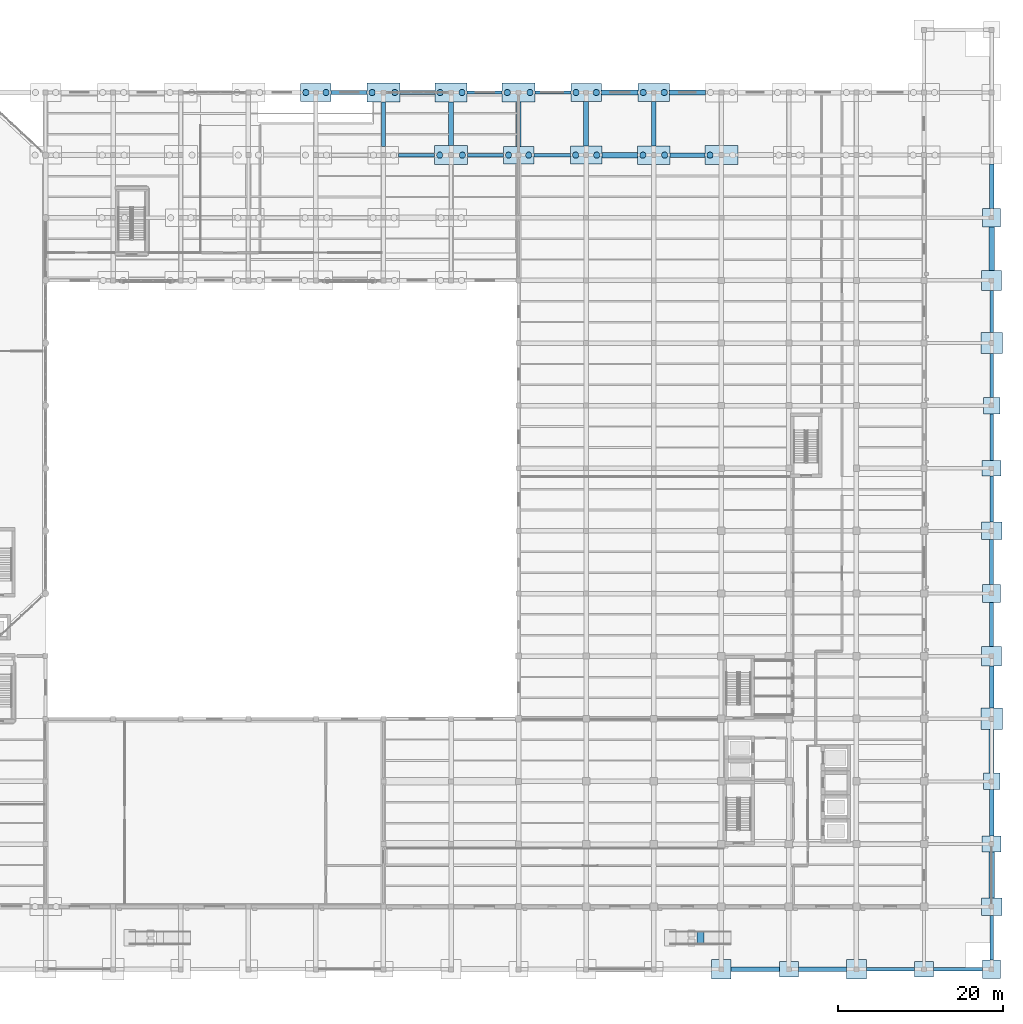
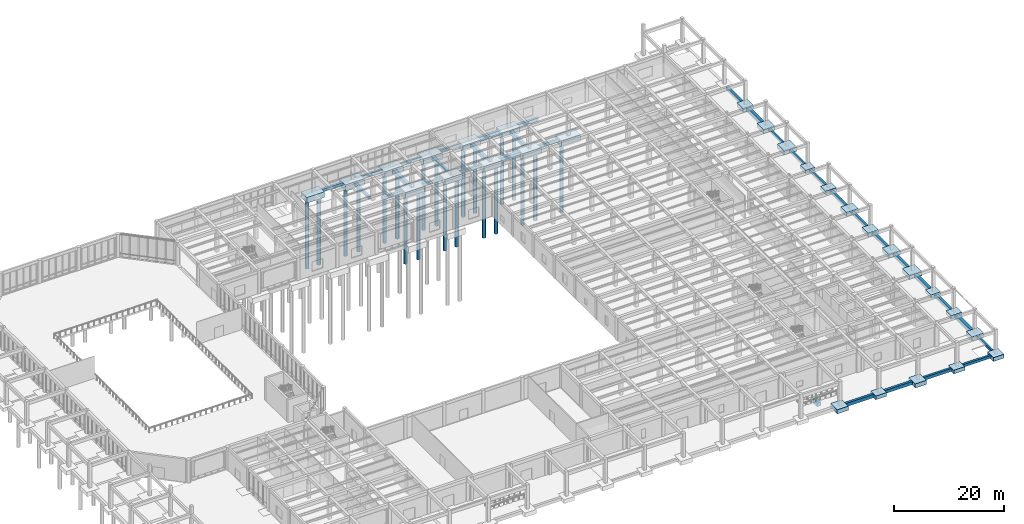
# One storey, part 5 of 64: 62 footings, 21 piles.
"""IFC4 building model written with IfcOpenShell, lengths in metres."""

import ifcopenshell
import ifcopenshell.guid

model = None  # the IFC model being written
_history = None  # IfcOwnerHistory: only IFC2X3 demands one
_inside = {}  # id of a spatial element -> (the spatial element, [elements in it])
_under = {}  # id of a project, library or spatial element -> (it, [spatial elements below it])
_declared = {}  # id of a project -> (the project, [libraries it declares])
_typed = {}  # id of a type object -> (the type object, [elements of that type])
_made_of = {}  # id of a material, layer set ... -> (it, [elements and type objects made of it])


def new_model(schema):
    """Start an empty IFC model of exactly this schema.

    Asked for "IFC4X3", IfcOpenShell would pick the latest addendum, in which some entities
    have other attributes; the version numbers below select the first issue.
    IFC2X3 requires an IfcOwnerHistory on every rooted entity: one is made here for all.
    """
    global model, _history
    if schema == "IFC4X3":
        model = ifcopenshell.file(schema_version=(4, 3, 0, 0))
    else:
        model = ifcopenshell.file(schema=schema)
    _inside.clear()
    _under.clear()
    _declared.clear()
    _typed.clear()
    _made_of.clear()
    _history = None
    if model.schema == "IFC2X3":
        org = make("IfcOrganization", Name="unknown")
        user = make(
            "IfcPersonAndOrganization",
            ThePerson=make("IfcPerson", FamilyName="unknown"),
            TheOrganization=org,
        )
        app = make(
            "IfcApplication",
            ApplicationDeveloper=org,
            Version="unknown",
            ApplicationFullName="unknown",
            ApplicationIdentifier="unknown",
        )
        _history = make(
            "IfcOwnerHistory",
            OwningUser=user,
            OwningApplication=app,
            ChangeAction="ADDED",
            CreationDate=0,
        )
    return model


def make(cls, **values):
    """One entity of the class cls with the attributes given. An attribute that is None is left unset."""
    return model.create_entity(
        cls, **{name: value for name, value in values.items() if value is not None}
    )


def rooted(cls, **values):
    """An entity with a GlobalId (a new one), such as an element, a storey or a relation."""
    return make(cls, GlobalId=ifcopenshell.guid.new(), OwnerHistory=_history, **values)


def si_unit(unit_type, name, prefix=None):
    """IfcSIUnit, for example si_unit("LENGTHUNIT", "METRE", prefix="MILLI")."""
    return make("IfcSIUnit", UnitType=unit_type, Prefix=prefix, Name=name)


def assignment(units):
    """IfcUnitAssignment: the units of a project."""
    return None if units is None else make("IfcUnitAssignment", Units=units)


def point(xyz):
    """IfcCartesianPoint."""
    return None if xyz is None else make("IfcCartesianPoint", Coordinates=xyz)


def direction(xyz):
    """IfcDirection."""
    return None if xyz is None else make("IfcDirection", DirectionRatios=xyz)


def frame(location, z_axis=None, x_axis=None):
    """IfcAxis2Placement3D, a coordinate frame: its origin and axes. An axis left out is left unset."""
    return make(
        "IfcAxis2Placement3D",
        Location=point(location),
        Axis=direction(z_axis),
        RefDirection=direction(x_axis),
    )


def frame_2d(location, x_axis=None):
    """IfcAxis2Placement2D, a coordinate frame in the plane: its origin and x axis."""
    return make(
        "IfcAxis2Placement2D", Location=point(location), RefDirection=direction(x_axis)
    )


def origin():
    """The frame at (0, 0, 0) with its axes left unset."""
    return frame((0.0, 0.0, 0.0))


def origin_2d():
    """The frame at (0, 0) in the plane with its x axis left unset."""
    return frame_2d((0.0, 0.0))


def place(relative_to, where):
    """IfcLocalPlacement: puts the frame where relative to a parent placement (None: the world)."""
    return make(
        "IfcLocalPlacement", PlacementRelTo=relative_to, RelativePlacement=where
    )


def context(
    kind, dimensions, precision=None, world=None, true_north=None, identifier=None
):
    """IfcGeometricRepresentationContext, for example the 3D "Model" context."""
    return make(
        "IfcGeometricRepresentationContext",
        ContextIdentifier=identifier,
        ContextType=kind,
        CoordinateSpaceDimension=dimensions,
        Precision=precision,
        WorldCoordinateSystem=world,
        TrueNorth=true_north,
    )


def subcontext(parent, identifier, kind, view, scale=None):
    """IfcGeometricRepresentationSubContext, for example "Body" below "Model"."""
    return make(
        "IfcGeometricRepresentationSubContext",
        ContextIdentifier=identifier,
        ContextType=kind,
        ParentContext=parent,
        TargetScale=scale,
        TargetView=view,
    )


def project(units=None, contexts=None):
    """IfcProject with its units and contexts."""
    return rooted(
        "IfcProject",
        Name="project",
        RepresentationContexts=contexts,
        UnitsInContext=assignment(units),
    )


def spatial(cls, under=None, at=None, **own):
    """A site, building, storey or space (cls), placed at a placement, below another one or the project."""
    s = rooted(cls, ObjectPlacement=at, **own)
    if under is not None:
        _under.setdefault(under.id(), (under, []))[1].append(s)
    return s


def profile(cls, at=None, kind="AREA", **sizes):
    """A parametric profile (cls). Its sizes go by their IFC names, for example OverallWidth=200.0."""
    return make(cls, ProfileType=kind, Position=at, **sizes)


def rectangle(**sizes):
    """IfcRectangleProfileDef."""
    return profile("IfcRectangleProfileDef", **sizes)


def circle(**sizes):
    """IfcCircleProfileDef."""
    return profile("IfcCircleProfileDef", **sizes)


def extrude(swept, where, along, depth):
    """IfcExtrudedAreaSolid: the profile swept, set in the frame where, extruded along a direction by depth."""
    return make(
        "IfcExtrudedAreaSolid",
        SweptArea=swept,
        Position=where,
        ExtrudedDirection=direction(along),
        Depth=depth,
    )


def shape(context_of_items, identifier, shape_type, items):
    """IfcShapeRepresentation: the items that make up one representation, for example the "Body"."""
    return make(
        "IfcShapeRepresentation",
        ContextOfItems=context_of_items,
        RepresentationIdentifier=identifier,
        RepresentationType=shape_type,
        Items=items,
    )


def material(Name=None, Category=None):
    """IfcMaterial."""
    return make("IfcMaterial", Name=Name, Category=Category)


def material_profile(
    of_material, cross_section, Name=None, Category=None, Priority=None
):
    """IfcMaterialProfile: a cross section and its material."""
    return make(
        "IfcMaterialProfile",
        Name=Name,
        Material=of_material,
        Profile=cross_section,
        Priority=Priority,
        Category=Category,
    )


def profile_set(profiles, Name=None, composite=None):
    """IfcMaterialProfileSet."""
    return make(
        "IfcMaterialProfileSet",
        Name=Name,
        MaterialProfiles=profiles,
        CompositeProfile=composite,
    )


def made_of(thing, what):
    """Note that an element or type object is made of a material, layer set ...; save() writes the relation."""
    if what is not None:
        _made_of.setdefault(what.id(), (what, []))[1].append(thing)
    return thing


def type_object(cls, material=None, **own):
    """A type object (cls), such as IfcWallType, which elements share."""
    return made_of(rooted(cls, **own), material)


def element(
    cls,
    number,
    at=None,
    inside=None,
    cuts=None,
    type_object=None,
    material=None,
    context=None,
    identifier="Body",
    shape_type=None,
    held_by="IfcProductDefinitionShape",
    body=None,
    shapes=None,
    **own,
):
    """One element of the class cls, such as IfcWall. Its Tag is "e" and its number.

    at: its placement. inside: the storey or other place that contains it. cuts: it is an
    opening in that element (IfcRelVoidsElement). A single representation is given by context,
    identifier, shape_type and body (its items); several are given by shapes. held_by: the class
    of the entity that holds the representations. save() writes the other relations.
    """
    e = rooted(cls, Tag="e%d" % number, ObjectPlacement=at, **own)
    if body is not None:
        shapes = [shape(context, identifier, shape_type, body)]
    if shapes is not None:
        e.Representation = make(held_by, Representations=shapes)
    if inside is not None:
        _inside.setdefault(inside.id(), (inside, []))[1].append(e)
    if cuts is not None:
        rooted(
            "IfcRelVoidsElement", RelatingBuildingElement=cuts, RelatedOpeningElement=e
        )
    if type_object is not None:
        _typed.setdefault(type_object.id(), (type_object, []))[1].append(e)
    return made_of(e, material)


def aggregate(whole, parts):
    """IfcRelAggregates: a whole, such as a stair, and the parts it consists of."""
    return rooted("IfcRelAggregates", RelatingObject=whole, RelatedObjects=parts)


def save(model, path):
    """Write the relations noted so far, then the file.

    IfcRelAggregates (storeys below a building ...), IfcRelContainedInSpatialStructure (elements
    in a storey), IfcRelDefinesByType, IfcRelAssociatesMaterial and IfcRelDeclares: one each for
    every whole, place, type object, material and project.
    """
    for whole, parts in _under.values():
        aggregate(whole, parts)
    for where, things in _inside.values():
        rooted(
            "IfcRelContainedInSpatialStructure",
            RelatedElements=things,
            RelatingStructure=where,
        )
    for kind, things in _typed.values():
        rooted("IfcRelDefinesByType", RelatedObjects=things, RelatingType=kind)
    for what, things in _made_of.values():
        rooted("IfcRelAssociatesMaterial", RelatedObjects=things, RelatingMaterial=what)
    for by, libraries in _declared.values():
        rooted("IfcRelDeclares", RelatingContext=by, RelatedDefinitions=libraries)
    model.write(path)


model = new_model("IFC4")

# Units and contexts
model_context = context("Model", 3, precision=1e-05, world=origin(), true_north=direction((0.0, 1.0)))
body_context = subcontext(model_context, "Body", "Model", "MODEL_VIEW")
ifc_project = project(units=[si_unit("LENGTHUNIT", "METRE"), si_unit("AREAUNIT", "SQUARE_METRE"), si_unit("VOLUMEUNIT", "CUBIC_METRE"), si_unit("PLANEANGLEUNIT", "RADIAN"), si_unit("MASSUNIT", "GRAM", prefix="KILO")], contexts=[model_context])

# Site, building, storey
site_placement = place(None, origin())
site = spatial("IfcSite", under=ifc_project, at=site_placement, CompositionType="ELEMENT")
building_placement = place(site_placement, origin())
building = spatial("IfcBuilding", under=site, at=building_placement, Name="Qandaris Square Conservatory and Botanical Centre", CompositionType="ELEMENT")
storey_placement = place(building_placement, origin())
storey = spatial("IfcBuildingStorey", under=building, at=storey_placement, Name="L00", CompositionType="ELEMENT", Elevation=0.0)

# Piles
ifc_material_1 = material(Name="Concrete C50/60", Category="concrete")
ifc_material_profile_1 = material_profile(ifc_material_1, circle(Radius=0.375, at=origin_2d()), Name="PILE D750")
ifc_profile_set_1 = profile_set([ifc_material_profile_1], Name="Concrete C50/60")
pile_type = type_object("IfcPileType", Name="Bored Pile D750", PredefinedType="BORED", material=ifc_profile_set_1)
for number, where, z_axis, x_axis, name in (
    (1, (88.77490234375, 115.39990234375, -1.14990234375), (0.0, 0.0, -1.0), (1.0, 0.0, 0.0), "Bored Pile Q11-1"),
    (2, (91.22509765625, 115.39990234375, -1.14990234375), (0.0, 0.0, -1.0), (1.0, 0.0, 0.0), "Bored Pile Q11-2"),
):
    element("IfcPile", number, at=place(storey_placement, frame(where, z_axis=z_axis, x_axis=x_axis)), inside=storey, type_object=pile_type, Name=name, PredefinedType="BORED", context=body_context, shape_type="SweptSolid", body=[
        extrude(circle(Radius=0.375, at=origin_2d()), origin(), (0.0, 0.0, 1.0), 15.35009765625),
    ])
for number, where, z_axis, x_axis, name in (
    (3, (96.824951171875, 115.39990234375, -1.300048828125), (0.0, 0.0, -1.0), (1.0, 0.0, 0.0), "Bored Pile Q12-1"),
    (4, (99.574951171875, 115.39990234375, -1.300048828125), (0.0, 0.0, -1.0), (1.0, 0.0, 0.0), "Bored Pile Q12-2"),
    (5, (105.02490234375, 107.800048828125, -1.300048828125), (0.0, 0.0, -1.0), (1.0, 0.0, 0.0), "Bored Pile P13-1"),
    (6, (107.77490234375, 107.800048828125, -1.300048828125), (0.0, 0.0, -1.0), (1.0, 0.0, 0.0), "Bored Pile P13-2"),
):
    element("IfcPile", number, at=place(storey_placement, frame(where, z_axis=z_axis, x_axis=x_axis)), inside=storey, type_object=pile_type, Name=name, PredefinedType="BORED", context=body_context, shape_type="SweptSolid", body=[
        extrude(circle(Radius=0.375, at=origin_2d()), origin(), (0.0, 0.0, 1.0), 15.199951171875),
    ])
for number, where, z_axis, x_axis, name in (
    (7, (105.074951171875, 115.39990234375, -1.25), (0.0, 0.0, -1.0), (1.0, 0.0, 0.0), "Bored Pile Q13-1"),
    (8, (107.72509765625, 115.39990234375, -1.25), (0.0, 0.0, -1.0), (1.0, 0.0, 0.0), "Bored Pile Q13-2"),
):
    element("IfcPile", number, at=place(storey_placement, frame(where, z_axis=z_axis, x_axis=x_axis)), inside=storey, type_object=pile_type, Name=name, PredefinedType="BORED", context=body_context, shape_type="SweptSolid", body=[
        extrude(circle(Radius=0.375, at=origin_2d()), origin(), (0.0, 0.0, 1.0), 15.25),
    ])
for number, where, z_axis, x_axis, name in (
    (9, (113.375, 107.800048828125, -1.14990234375), (0.0, 0.0, -1.0), (1.0, 0.0, 0.0), "Bored Pile P14-1"),
    (10, (115.824951171875, 107.800048828125, -1.14990234375), (0.0, 0.0, -1.0), (1.0, 0.0, 0.0), "Bored Pile P14-2"),
):
    element("IfcPile", number, at=place(storey_placement, frame(where, z_axis=z_axis, x_axis=x_axis)), inside=storey, type_object=pile_type, Name=name, PredefinedType="BORED", context=body_context, shape_type="SweptSolid", body=[
        extrude(circle(Radius=0.375, at=origin_2d()), origin(), (0.0, 0.0, 1.0), 15.35009765625),
    ])
for number, where, z_axis, x_axis, name in (
    (11, (113.22509765625, 115.39990234375, -1.300048828125), (0.0, 0.0, -1.0), (1.0, 0.0, 0.0), "Bored Pile Q14-1"),
    (12, (115.97509765625, 115.39990234375, -1.300048828125), (0.0, 0.0, -1.0), (1.0, 0.0, 0.0), "Bored Pile Q14-2"),
):
    element("IfcPile", number, at=place(storey_placement, frame(where, z_axis=z_axis, x_axis=x_axis)), inside=storey, type_object=pile_type, Name=name, PredefinedType="BORED", context=body_context, shape_type="SweptSolid", body=[
        extrude(circle(Radius=0.375, at=origin_2d()), origin(), (0.0, 0.0, 1.0), 15.199951171875),
    ])
for number, where, z_axis, x_axis, name in (
    (13, (121.52490234375, 107.800048828125, -1.199951171875), (0.0, 0.0, -1.0), (1.0, 0.0, 0.0), "Bored Pile P15-1"),
    (14, (124.074951171875, 107.800048828125, -1.199951171875), (0.0, 0.0, -1.0), (1.0, 0.0, 0.0), "Bored Pile P15-2"),
):
    element("IfcPile", number, at=place(storey_placement, frame(where, z_axis=z_axis, x_axis=x_axis)), inside=storey, type_object=pile_type, Name=name, PredefinedType="BORED", context=body_context, shape_type="SweptSolid", body=[
        extrude(circle(Radius=0.375, at=origin_2d()), origin(), (0.0, 0.0, 1.0), 15.300048828125),
    ])
for number, where, z_axis, x_axis, name in (
    (15, (121.574951171875, 115.39990234375, -1.14990234375), (0.0, 0.0, -1.0), (1.0, 0.0, 0.0), "Bored Pile Q15-1"),
    (16, (124.02490234375, 115.39990234375, -1.14990234375), (0.0, 0.0, -1.0), (1.0, 0.0, 0.0), "Bored Pile Q15-2"),
):
    element("IfcPile", number, at=place(storey_placement, frame(where, z_axis=z_axis, x_axis=x_axis)), inside=storey, type_object=pile_type, Name=name, PredefinedType="BORED", context=body_context, shape_type="SweptSolid", body=[
        extrude(circle(Radius=0.375, at=origin_2d()), origin(), (0.0, 0.0, 1.0), 15.35009765625),
    ])
for number, where, z_axis, x_axis, name in (
    (17, (129.675048828125, 107.800048828125, -1.25), (0.0, 0.0, -1.0), (1.0, 0.0, 0.0), "Bored Pile P16-1"),
    (18, (132.324951171875, 107.800048828125, -1.25), (0.0, 0.0, -1.0), (1.0, 0.0, 0.0), "Bored Pile P16-2"),
):
    element("IfcPile", number, at=place(storey_placement, frame(where, z_axis=z_axis, x_axis=x_axis)), inside=storey, type_object=pile_type, Name=name, PredefinedType="BORED", context=body_context, shape_type="SweptSolid", body=[
        extrude(circle(Radius=0.375, at=origin_2d()), origin(), (0.0, 0.0, 1.0), 15.25),
    ])
for number, where, z_axis, x_axis, name in (
    (19, (129.72509765625, 115.39990234375, -1.199951171875), (0.0, 0.0, -1.0), (1.0, 0.0, 0.0), "Bored Pile Q16-1"),
    (20, (132.27490234375, 115.39990234375, -1.199951171875), (0.0, 0.0, -1.0), (1.0, 0.0, 0.0), "Bored Pile Q16-2"),
):
    element("IfcPile", number, at=place(storey_placement, frame(where, z_axis=z_axis, x_axis=x_axis)), inside=storey, type_object=pile_type, Name=name, PredefinedType="BORED", context=body_context, shape_type="SweptSolid", body=[
        extrude(circle(Radius=0.375, at=origin_2d()), origin(), (0.0, 0.0, 1.0), 15.300048828125),
    ])
pile_placement = place(storey_placement, frame((137.824951171875, 107.800048828125, -1.300048828125), z_axis=(0.0, 0.0, -1.0), x_axis=(1.0, 0.0, 0.0)))
element("IfcPile", 21, at=pile_placement, inside=storey, type_object=pile_type, Name="Bored Pile P17-1", PredefinedType="BORED", context=body_context, shape_type="SweptSolid", body=[
    extrude(circle(Radius=0.375, at=origin_2d()), origin(), (0.0, 0.0, 1.0), 15.199951171875),
])

# Footings
ifc_material_2 = material(Name="Concrete C40/50", Category="concrete")
ifc_material_profile_2 = material_profile(ifc_material_2, rectangle(XDim=0.60009765625, YDim=0.85009765625, at=origin_2d()), Name="FB 600x850")
ifc_profile_set_2 = profile_set([ifc_material_profile_2], Name="Concrete C40/50")
footing_type_1 = type_object("IfcFootingType", Name="RC Ground Tie Beam FB-01", PredefinedType="FOOTING_BEAM", material=ifc_profile_set_2)
footing_1_placement = place(storey_placement, frame((122.800048828125, 108.89990234375, -0.425048828125), z_axis=(0.0, 1.0, 0.0), x_axis=(-1.0, 0.0, 0.0)))
element("IfcFooting", 22, at=footing_1_placement, inside=storey, type_object=footing_type_1, Name="Ground Tie Beam FB-01-341", PredefinedType="FOOTING_BEAM", context=body_context, shape_type="SweptSolid", body=[
    extrude(rectangle(XDim=0.60009765625, YDim=0.85009765625, at=origin_2d()), origin(), (0.0, 0.0, 1.0), 5.425048828125),
])
footing_2_placement = place(storey_placement, frame((172.0, 32.800048828125, -0.425048828125), z_axis=(0.0, 1.0, 0.0), x_axis=(-1.0, 0.0, 0.0)))
element("IfcFooting", 23, at=footing_2_placement, inside=storey, type_object=footing_type_1, Name="Ground Tie Beam FB-01-351", PredefinedType="FOOTING_BEAM", context=body_context, shape_type="SweptSolid", body=[
    extrude(rectangle(XDim=0.60009765625, YDim=0.85009765625, at=origin_2d()), origin(), (0.0, 0.0, 1.0), 5.300048828125),
])
ifc_material_profile_3 = material_profile(ifc_material_2, rectangle(XDim=0.550048828125, YDim=0.800048828125, at=origin_2d()), Name="FB 550x800")
ifc_profile_set_3 = profile_set([ifc_material_profile_3], Name="Concrete C40/50")
footing_type_2 = type_object("IfcFootingType", Name="RC Ground Tie Beam FB-02", PredefinedType="FOOTING_BEAM", material=ifc_profile_set_3)
footing_3_placement = place(storey_placement, frame((131.0, 108.925048828125, -0.39990234375), z_axis=(0.0, 1.0, 0.0), x_axis=(-1.0, 0.0, 0.0)))
element("IfcFooting", 24, at=footing_3_placement, inside=storey, type_object=footing_type_2, Name="Ground Tie Beam FB-02-342", PredefinedType="FOOTING_BEAM", context=body_context, shape_type="SweptSolid", body=[
    extrude(rectangle(XDim=0.550048828125, YDim=0.800048828125, at=origin_2d()), origin(), (0.0, 0.0, 1.0), 5.375),
])
footing_4_placement = place(storey_placement, frame((172.0, 40.699951171875, -0.39990234375), z_axis=(0.0, 1.0, 0.0), x_axis=(-1.0, 0.0, 0.0)))
element("IfcFooting", 25, at=footing_4_placement, inside=storey, type_object=footing_type_2, Name="Ground Tie Beam FB-02-352", PredefinedType="FOOTING_BEAM", context=body_context, shape_type="SweptSolid", body=[
    extrude(rectangle(XDim=0.550048828125, YDim=0.800048828125, at=origin_2d()), origin(), (0.0, 0.0, 1.0), 5.10009765625),
])
ifc_material_profile_4 = material_profile(ifc_material_2, rectangle(XDim=0.5, YDim=0.75, at=origin_2d()), Name="FB 500x750")
ifc_profile_set_4 = profile_set([ifc_material_profile_4], Name="Concrete C40/50")
footing_type_3 = type_object("IfcFootingType", Name="RC Ground Tie Beam FB-03", PredefinedType="FOOTING_BEAM", material=ifc_profile_set_4)
footing_5_placement = place(storey_placement, frame((140.39990234375, 9.0, -0.375), z_axis=(1.0, 0.0, 0.0), x_axis=(0.0, 1.0, 0.0)))
element("IfcFooting", 26, at=footing_5_placement, inside=storey, type_object=footing_type_3, Name="Ground Tie Beam FB-03-203", PredefinedType="FOOTING_BEAM", context=body_context, shape_type="SweptSolid", body=[
    extrude(rectangle(XDim=0.5, YDim=0.75, at=origin_2d()), origin(), (0.0, 0.0, 1.0), 5.85009765625),
])
footing_6_placement = place(storey_placement, frame((172.0, 48.199951171875, -0.375), z_axis=(0.0, 1.0, 0.0), x_axis=(-1.0, 0.0, 0.0)))
element("IfcFooting", 27, at=footing_6_placement, inside=storey, type_object=footing_type_3, Name="Ground Tie Beam FB-03-353", PredefinedType="FOOTING_BEAM", context=body_context, shape_type="SweptSolid", body=[
    extrude(rectangle(XDim=0.5, YDim=0.75, at=origin_2d()), origin(), (0.0, 0.0, 1.0), 5.300048828125),
])
ifc_material_profile_5 = material_profile(ifc_material_2, rectangle(XDim=0.5, YDim=0.699951171875, at=origin_2d()), Name="FB 500x700")
ifc_profile_set_5 = profile_set([ifc_material_profile_5], Name="Concrete C40/50")
footing_type_4 = type_object("IfcFootingType", Name="RC Ground Tie Beam FB-04", PredefinedType="FOOTING_BEAM", material=ifc_profile_set_5)
footing_7_placement = place(storey_placement, frame((148.550048828125, 9.0, -0.35009765625), z_axis=(1.0, 0.0, 0.0), x_axis=(0.0, 1.0, 0.0)))
element("IfcFooting", 28, at=footing_7_placement, inside=storey, type_object=footing_type_4, Name="Ground Tie Beam FB-04-204", PredefinedType="FOOTING_BEAM", context=body_context, shape_type="SweptSolid", body=[
    extrude(rectangle(XDim=0.5, YDim=0.699951171875, at=origin_2d()), origin(), (0.0, 0.0, 1.0), 5.849853515625),
])
footing_8_placement = place(storey_placement, frame((172.0, 55.699951171875, -0.35009765625), z_axis=(0.0, 1.0, 0.0), x_axis=(-1.0, 0.0, 0.0)))
element("IfcFooting", 29, at=footing_8_placement, inside=storey, type_object=footing_type_4, Name="Ground Tie Beam FB-04-354", PredefinedType="FOOTING_BEAM", context=body_context, shape_type="SweptSolid", body=[
    extrude(rectangle(XDim=0.5, YDim=0.699951171875, at=origin_2d()), origin(), (0.0, 0.0, 1.0), 5.449951171875),
])
ifc_material_profile_6 = material_profile(ifc_material_2, rectangle(XDim=0.449951171875, YDim=0.64990234375, at=origin_2d()), Name="FB 450x650")
ifc_profile_set_6 = profile_set([ifc_material_profile_6], Name="Concrete C40/50")
footing_type_5 = type_object("IfcFootingType", Name="RC Ground Tie Beam FB-05", PredefinedType="FOOTING_BEAM", material=ifc_profile_set_6)
footing_9_placement = place(storey_placement, frame((156.800048828125, 9.0, -0.324951171875), z_axis=(1.0, 0.0, 0.0), x_axis=(0.0, 1.0, 0.0)))
element("IfcFooting", 30, at=footing_9_placement, inside=storey, type_object=footing_type_5, Name="Ground Tie Beam FB-05-205", PredefinedType="FOOTING_BEAM", context=body_context, shape_type="SweptSolid", body=[
    extrude(rectangle(XDim=0.449951171875, YDim=0.64990234375, at=origin_2d()), origin(), (0.0, 0.0, 1.0), 5.849853515625),
])
footing_10_placement = place(storey_placement, frame((91.85009765625, 115.39990234375, -0.324951171875), z_axis=(1.0, 0.0, 0.0), x_axis=(0.0, 1.0, 0.0)))
element("IfcFooting", 31, at=footing_10_placement, inside=storey, type_object=footing_type_5, Name="Ground Tie Beam FB-05-265", PredefinedType="FOOTING_BEAM", context=body_context, shape_type="SweptSolid", body=[
    extrude(rectangle(XDim=0.449951171875, YDim=0.64990234375, at=origin_2d()), origin(), (0.0, 0.0, 1.0), 4.349853515625),
])
footing_11_placement = place(storey_placement, frame((172.0, 63.25, -0.324951171875), z_axis=(0.0, 1.0, 0.0), x_axis=(-1.0, 0.0, 0.0)))
element("IfcFooting", 32, at=footing_11_placement, inside=storey, type_object=footing_type_5, Name="Ground Tie Beam FB-05-355", PredefinedType="FOOTING_BEAM", context=body_context, shape_type="SweptSolid", body=[
    extrude(rectangle(XDim=0.449951171875, YDim=0.64990234375, at=origin_2d()), origin(), (0.0, 0.0, 1.0), 5.60009765625),
])
ifc_material_profile_7 = material_profile(ifc_material_2, rectangle(XDim=0.449951171875, YDim=0.60009765625, at=origin_2d()), Name="FB 450x600")
ifc_profile_set_7 = profile_set([ifc_material_profile_7], Name="Concrete C40/50")
footing_type_6 = type_object("IfcFootingType", Name="RC Ground Tie Beam FB-06", PredefinedType="FOOTING_BEAM", material=ifc_profile_set_7)
footing_12_placement = place(storey_placement, frame((164.949951171875, 9.0, -0.300048828125), z_axis=(1.0, 0.0, 0.0), x_axis=(0.0, 1.0, 0.0)))
element("IfcFooting", 33, at=footing_12_placement, inside=storey, type_object=footing_type_6, Name="Ground Tie Beam FB-06-206", PredefinedType="FOOTING_BEAM", context=body_context, shape_type="SweptSolid", body=[
    extrude(rectangle(XDim=0.449951171875, YDim=0.60009765625, at=origin_2d()), origin(), (0.0, 0.0, 1.0), 5.949951171875),
])
footing_13_placement = place(storey_placement, frame((100.050048828125, 107.800048828125, -0.300048828125), z_axis=(1.0, 0.0, 0.0), x_axis=(0.0, 1.0, 0.0)))
element("IfcFooting", 34, at=footing_13_placement, inside=storey, type_object=footing_type_6, Name="Ground Tie Beam FB-06-246", PredefinedType="FOOTING_BEAM", context=body_context, shape_type="SweptSolid", body=[
    extrude(rectangle(XDim=0.449951171875, YDim=0.60009765625, at=origin_2d()), origin(), (0.0, 0.0, 1.0), 4.349853515625),
])
footing_14_placement = place(storey_placement, frame((100.199951171875, 115.39990234375, -0.300048828125), z_axis=(1.0, 0.0, 0.0), x_axis=(0.0, 1.0, 0.0)))
element("IfcFooting", 35, at=footing_14_placement, inside=storey, type_object=footing_type_6, Name="Ground Tie Beam FB-06-266", PredefinedType="FOOTING_BEAM", context=body_context, shape_type="SweptSolid", body=[
    extrude(rectangle(XDim=0.449951171875, YDim=0.60009765625, at=origin_2d()), origin(), (0.0, 0.0, 1.0), 4.25),
])
footing_15_placement = place(storey_placement, frame((98.199951171875, 108.875, -0.300048828125), z_axis=(0.0, 1.0, 0.0), x_axis=(-1.0, 0.0, 0.0)))
element("IfcFooting", 36, at=footing_15_placement, inside=storey, type_object=footing_type_6, Name="Ground Tie Beam FB-06-336", PredefinedType="FOOTING_BEAM", context=body_context, shape_type="SweptSolid", body=[
    extrude(rectangle(XDim=0.449951171875, YDim=0.60009765625, at=origin_2d()), origin(), (0.0, 0.0, 1.0), 5.375),
])
footing_16_placement = place(storey_placement, frame((172.0, 70.75, -0.300048828125), z_axis=(0.0, 1.0, 0.0), x_axis=(-1.0, 0.0, 0.0)))
element("IfcFooting", 37, at=footing_16_placement, inside=storey, type_object=footing_type_6, Name="Ground Tie Beam FB-06-356", PredefinedType="FOOTING_BEAM", context=body_context, shape_type="SweptSolid", body=[
    extrude(rectangle(XDim=0.449951171875, YDim=0.60009765625, at=origin_2d()), origin(), (0.0, 0.0, 1.0), 5.64990234375),
])
ifc_material_profile_8 = material_profile(ifc_material_2, rectangle(XDim=0.39990234375, YDim=0.60009765625, at=origin_2d()), Name="FB 400x600")
ifc_profile_set_8 = profile_set([ifc_material_profile_8], Name="Concrete C40/50")
footing_type_7 = type_object("IfcFootingType", Name="RC Ground Tie Beam FB-07", PredefinedType="FOOTING_BEAM", material=ifc_profile_set_8)
footing_17_placement = place(storey_placement, frame((108.39990234375, 107.800048828125, -0.300048828125), z_axis=(1.0, 0.0, 0.0), x_axis=(0.0, 1.0, 0.0)))
element("IfcFooting", 38, at=footing_17_placement, inside=storey, type_object=footing_type_7, Name="Ground Tie Beam FB-07-247", PredefinedType="FOOTING_BEAM", context=body_context, shape_type="SweptSolid", body=[
    extrude(rectangle(XDim=0.39990234375, YDim=0.60009765625, at=origin_2d()), origin(), (0.0, 0.0, 1.0), 4.35009765625),
])
footing_18_placement = place(storey_placement, frame((108.35009765625, 115.39990234375, -0.300048828125), z_axis=(1.0, 0.0, 0.0), x_axis=(0.0, 1.0, 0.0)))
element("IfcFooting", 39, at=footing_18_placement, inside=storey, type_object=footing_type_7, Name="Ground Tie Beam FB-07-267", PredefinedType="FOOTING_BEAM", context=body_context, shape_type="SweptSolid", body=[
    extrude(rectangle(XDim=0.39990234375, YDim=0.60009765625, at=origin_2d()), origin(), (0.0, 0.0, 1.0), 4.25),
])
footing_19_placement = place(storey_placement, frame((172.0, 78.39990234375, -0.300048828125), z_axis=(0.0, 1.0, 0.0), x_axis=(-1.0, 0.0, 0.0)))
element("IfcFooting", 40, at=footing_19_placement, inside=storey, type_object=footing_type_7, Name="Ground Tie Beam FB-07-357", PredefinedType="FOOTING_BEAM", context=body_context, shape_type="SweptSolid", body=[
    extrude(rectangle(XDim=0.39990234375, YDim=0.60009765625, at=origin_2d()), origin(), (0.0, 0.0, 1.0), 5.300048828125),
])
ifc_material_profile_9 = material_profile(ifc_material_2, rectangle(XDim=0.39990234375, YDim=0.550048828125, at=origin_2d()), Name="FB 400x550")
ifc_profile_set_9 = profile_set([ifc_material_profile_9], Name="Concrete C40/50")
footing_type_8 = type_object("IfcFootingType", Name="RC Ground Tie Beam FB-08", PredefinedType="FOOTING_BEAM", material=ifc_profile_set_9)
footing_20_placement = place(storey_placement, frame((116.449951171875, 107.800048828125, -0.27490234375), z_axis=(1.0, 0.0, 0.0), x_axis=(0.0, 1.0, 0.0)))
element("IfcFooting", 41, at=footing_20_placement, inside=storey, type_object=footing_type_8, Name="Ground Tie Beam FB-08-248", PredefinedType="FOOTING_BEAM", context=body_context, shape_type="SweptSolid", body=[
    extrude(rectangle(XDim=0.39990234375, YDim=0.550048828125, at=origin_2d()), origin(), (0.0, 0.0, 1.0), 4.449951171875),
])
footing_21_placement = place(storey_placement, frame((116.60009765625, 115.39990234375, -0.27490234375), z_axis=(1.0, 0.0, 0.0), x_axis=(0.0, 1.0, 0.0)))
element("IfcFooting", 42, at=footing_21_placement, inside=storey, type_object=footing_type_8, Name="Ground Tie Beam FB-08-268", PredefinedType="FOOTING_BEAM", context=body_context, shape_type="SweptSolid", body=[
    extrude(rectangle(XDim=0.39990234375, YDim=0.550048828125, at=origin_2d()), origin(), (0.0, 0.0, 1.0), 4.349853515625),
])
footing_22_placement = place(storey_placement, frame((172.0, 10.10009765625, -0.27490234375), z_axis=(0.0, 1.0, 0.0), x_axis=(-1.0, 0.0, 0.0)))
element("IfcFooting", 43, at=footing_22_placement, inside=storey, type_object=footing_type_8, Name="Ground Tie Beam FB-08-348", PredefinedType="FOOTING_BEAM", context=body_context, shape_type="SweptSolid", body=[
    extrude(rectangle(XDim=0.39990234375, YDim=0.550048828125, at=origin_2d()), origin(), (0.0, 0.0, 1.0), 5.449951171875),
])
footing_23_placement = place(storey_placement, frame((172.0, 86.300048828125, -0.27490234375), z_axis=(0.0, 1.0, 0.0), x_axis=(-1.0, 0.0, 0.0)))
element("IfcFooting", 44, at=footing_23_placement, inside=storey, type_object=footing_type_8, Name="Ground Tie Beam FB-08-358", PredefinedType="FOOTING_BEAM", context=body_context, shape_type="SweptSolid", body=[
    extrude(rectangle(XDim=0.39990234375, YDim=0.550048828125, at=origin_2d()), origin(), (0.0, 0.0, 1.0), 5.099853515625),
])
ifc_material_profile_10 = material_profile(ifc_material_2, rectangle(XDim=0.64990234375, YDim=0.89990234375, at=origin_2d()), Name="FB 650x900")
ifc_profile_set_10 = profile_set([ifc_material_profile_10], Name="Concrete C40/50")
footing_type_9 = type_object("IfcFootingType", Name="RC Ground Tie Beam FB-09", PredefinedType="FOOTING_BEAM", material=ifc_profile_set_10)
footing_24_placement = place(storey_placement, frame((124.699951171875, 107.800048828125, -0.449951171875), z_axis=(1.0, 0.0, 0.0), x_axis=(0.0, 1.0, 0.0)))
element("IfcFooting", 45, at=footing_24_placement, inside=storey, type_object=footing_type_9, Name="Ground Tie Beam FB-09-249", PredefinedType="FOOTING_BEAM", context=body_context, shape_type="SweptSolid", body=[
    extrude(rectangle(XDim=0.64990234375, YDim=0.89990234375, at=origin_2d()), origin(), (0.0, 0.0, 1.0), 4.35009765625),
])
footing_25_placement = place(storey_placement, frame((124.64990234375, 115.39990234375, -0.449951171875), z_axis=(1.0, 0.0, 0.0), x_axis=(0.0, 1.0, 0.0)))
element("IfcFooting", 46, at=footing_25_placement, inside=storey, type_object=footing_type_9, Name="Ground Tie Beam FB-09-269", PredefinedType="FOOTING_BEAM", context=body_context, shape_type="SweptSolid", body=[
    extrude(rectangle(XDim=0.64990234375, YDim=0.89990234375, at=origin_2d()), origin(), (0.0, 0.0, 1.0), 4.4501953125),
])
footing_26_placement = place(storey_placement, frame((106.39990234375, 108.949951171875, -0.449951171875), z_axis=(0.0, 1.0, 0.0), x_axis=(-1.0, 0.0, 0.0)))
element("IfcFooting", 47, at=footing_26_placement, inside=storey, type_object=footing_type_9, Name="Ground Tie Beam FB-09-339", PredefinedType="FOOTING_BEAM", context=body_context, shape_type="SweptSolid", body=[
    extrude(rectangle(XDim=0.64990234375, YDim=0.89990234375, at=origin_2d()), origin(), (0.0, 0.0, 1.0), 5.324951171875),
])
footing_27_placement = place(storey_placement, frame((172.0, 17.64990234375, -0.449951171875), z_axis=(0.0, 1.0, 0.0), x_axis=(-1.0, 0.0, 0.0)))
element("IfcFooting", 48, at=footing_27_placement, inside=storey, type_object=footing_type_9, Name="Ground Tie Beam FB-09-349", PredefinedType="FOOTING_BEAM", context=body_context, shape_type="SweptSolid", body=[
    extrude(rectangle(XDim=0.64990234375, YDim=0.89990234375, at=origin_2d()), origin(), (0.0, 0.0, 1.0), 5.60009765625),
])
footing_28_placement = place(storey_placement, frame((172.0, 93.800048828125, -0.449951171875), z_axis=(0.0, 1.0, 0.0), x_axis=(-1.0, 0.0, 0.0)))
element("IfcFooting", 49, at=footing_28_placement, inside=storey, type_object=footing_type_9, Name="Ground Tie Beam FB-09-359", PredefinedType="FOOTING_BEAM", context=body_context, shape_type="SweptSolid", body=[
    extrude(rectangle(XDim=0.64990234375, YDim=0.89990234375, at=origin_2d()), origin(), (0.0, 0.0, 1.0), 5.300048828125),
])
ifc_material_profile_11 = material_profile(ifc_material_2, rectangle(XDim=0.550048828125, YDim=0.699951171875, at=origin_2d()), Name="FB 550x700")
ifc_profile_set_11 = profile_set([ifc_material_profile_11], Name="Concrete C40/50")
footing_type_10 = type_object("IfcFootingType", Name="RC Ground Tie Beam FB-10", PredefinedType="FOOTING_BEAM", material=ifc_profile_set_11)
footing_29_placement = place(storey_placement, frame((132.949951171875, 107.800048828125, -0.35009765625), z_axis=(1.0, 0.0, 0.0), x_axis=(0.0, 1.0, 0.0)))
element("IfcFooting", 50, at=footing_29_placement, inside=storey, type_object=footing_type_10, Name="Ground Tie Beam FB-10-250", PredefinedType="FOOTING_BEAM", context=body_context, shape_type="SweptSolid", body=[
    extrude(rectangle(XDim=0.550048828125, YDim=0.699951171875, at=origin_2d()), origin(), (0.0, 0.0, 1.0), 4.25),
])
footing_30_placement = place(storey_placement, frame((132.89990234375, 115.39990234375, -0.35009765625), z_axis=(1.0, 0.0, 0.0), x_axis=(0.0, 1.0, 0.0)))
element("IfcFooting", 51, at=footing_30_placement, inside=storey, type_object=footing_type_10, Name="Ground Tie Beam FB-10-270", PredefinedType="FOOTING_BEAM", context=body_context, shape_type="SweptSolid", body=[
    extrude(rectangle(XDim=0.550048828125, YDim=0.699951171875, at=origin_2d()), origin(), (0.0, 0.0, 1.0), 4.35009765625),
])
footing_31_placement = place(storey_placement, frame((114.60009765625, 108.875, -0.35009765625), z_axis=(0.0, 1.0, 0.0), x_axis=(-1.0, 0.0, 0.0)))
element("IfcFooting", 52, at=footing_31_placement, inside=storey, type_object=footing_type_10, Name="Ground Tie Beam FB-10-340", PredefinedType="FOOTING_BEAM", context=body_context, shape_type="SweptSolid", body=[
    extrude(rectangle(XDim=0.550048828125, YDim=0.699951171875, at=origin_2d()), origin(), (0.0, 0.0, 1.0), 5.375),
])
footing_32_placement = place(storey_placement, frame((172.0, 25.14990234375, -0.35009765625), z_axis=(0.0, 1.0, 0.0), x_axis=(-1.0, 0.0, 0.0)))
element("IfcFooting", 53, at=footing_32_placement, inside=storey, type_object=footing_type_10, Name="Ground Tie Beam FB-10-350", PredefinedType="FOOTING_BEAM", context=body_context, shape_type="SweptSolid", body=[
    extrude(rectangle(XDim=0.550048828125, YDim=0.699951171875, at=origin_2d()), origin(), (0.0, 0.0, 1.0), 5.650146484375),
])
footing_33_placement = place(storey_placement, frame((172.0, 101.300048828125, -0.35009765625), z_axis=(0.0, 1.0, 0.0), x_axis=(-1.0, 0.0, 0.0)))
element("IfcFooting", 54, at=footing_33_placement, inside=storey, type_object=footing_type_10, Name="Ground Tie Beam FB-10-360", PredefinedType="FOOTING_BEAM", context=body_context, shape_type="SweptSolid", body=[
    extrude(rectangle(XDim=0.550048828125, YDim=0.699951171875, at=origin_2d()), origin(), (0.0, 0.0, 1.0), 5.449951171875),
])
footing_type_11 = type_object("IfcFootingType", Name="RC Pad Footing PF-01", PredefinedType="PAD_FOOTING", material=ifc_material_2)
for number, where, z_axis, x_axis, name in (
    (55, (172.0, 39.39990234375, -0.9501953125), (0.0, 0.0, 1.0), (1.0, 0.0, 0.0), "Pad Footing PF-01 at E21"),
    (56, (172.0, 85.0, -0.9501953125), (0.0, 0.0, 1.0), (1.0, 0.0, 0.0), "Pad Footing PF-01 at L21"),
):
    element("IfcFooting", number, at=place(storey_placement, frame(where, z_axis=z_axis, x_axis=x_axis)), inside=storey, type_object=footing_type_11, Name=name, PredefinedType="PAD_FOOTING", context=body_context, shape_type="SweptSolid", body=[
        extrude(rectangle(XDim=2.60009765625, YDim=2.60009765625, at=origin_2d()), origin(), (0.0, 0.0, 1.0), 0.949951171875),
    ])
footing_type_12 = type_object("IfcFootingType", Name="RC Pad Footing PF-02", PredefinedType="PAD_FOOTING", material=ifc_material_2)
for number, where, z_axis, x_axis, name in (
    (57, (139.199951171875, 9.0, -0.89990234375), (0.0, 0.0, 1.0), (1.0, 0.0, 0.0), "Pad Footing PF-02 at A17"),
    (58, (155.60009765625, 9.0, -0.89990234375), (0.0, 0.0, 1.0), (1.0, 0.0, 0.0), "Pad Footing PF-02 at A19"),
    (59, (172.0, 47.0, -0.89990234375), (0.0, 0.0, 1.0), (1.0, 0.0, 0.0), "Pad Footing PF-02 at F21"),
    (60, (172.0, 92.60009765625, -0.89990234375), (0.0, 0.0, 1.0), (1.0, 0.0, 0.0), "Pad Footing PF-02 at M21"),
):
    element("IfcFooting", number, at=place(storey_placement, frame(where, z_axis=z_axis, x_axis=x_axis)), inside=storey, type_object=footing_type_12, Name=name, PredefinedType="PAD_FOOTING", context=body_context, shape_type="SweptSolid", body=[
        extrude(rectangle(XDim=2.39990234375, YDim=2.39990234375, at=origin_2d()), origin(), (0.0, 0.0, 1.0), 0.89990234375),
    ])
footing_type_13 = type_object("IfcFootingType", Name="RC Pad Footing PF-03", PredefinedType="PAD_FOOTING", material=ifc_material_2)
for number, where, z_axis, x_axis, name in (
    (61, (172.0, 9.0, -0.85009765625), (0.0, 0.0, 1.0), (1.0, 0.0, 0.0), "Pad Footing PF-03 at A21"),
    (62, (172.0, 54.60009765625, -0.85009765625), (0.0, 0.0, 1.0), (1.0, 0.0, 0.0), "Pad Footing PF-03 at G21"),
    (63, (172.0, 100.199951171875, -0.85009765625), (0.0, 0.0, 1.0), (1.0, 0.0, 0.0), "Pad Footing PF-03 at N21"),
):
    element("IfcFooting", number, at=place(storey_placement, frame(where, z_axis=z_axis, x_axis=x_axis)), inside=storey, type_object=footing_type_13, Name=name, PredefinedType="PAD_FOOTING", context=body_context, shape_type="SweptSolid", body=[
        extrude(rectangle(XDim=2.199951171875, YDim=2.199951171875, at=origin_2d()), origin(), (0.0, 0.0, 1.0), 0.85009765625),
    ])
footing_34_placement = place(storey_placement, frame((136.64990234375, 12.800048828125, -1.260009765625), z_axis=(0.0, 0.0, 1.0), x_axis=(1.0, 0.0, 0.0)))
element("IfcFooting", 64, at=footing_34_placement, inside=storey, type_object=footing_type_13, Name="Ramp Foundation PAD-RMP-04D", PredefinedType="PAD_FOOTING", context=body_context, shape_type="SweptSolid", body=[
    extrude(rectangle(XDim=0.85009765625, YDim=1.60009765625, at=origin_2d()), origin(), (0.0, 0.0, 1.0), 0.85009765625),
])
footing_type_14 = type_object("IfcFootingType", Name="RC Pad Footing PF-04", PredefinedType="PAD_FOOTING", material=ifc_material_2)
for number, where, z_axis, x_axis, name in (
    (65, (172.0, 16.60009765625, -0.89990234375), (0.0, 0.0, 1.0), (1.0, 0.0, 0.0), "Pad Footing PF-04 at B21"),
    (66, (172.0, 62.199951171875, -0.89990234375), (0.0, 0.0, 1.0), (1.0, 0.0, 0.0), "Pad Footing PF-04 at H21"),
):
    element("IfcFooting", number, at=place(storey_placement, frame(where, z_axis=z_axis, x_axis=x_axis)), inside=storey, type_object=footing_type_14, Name=name, PredefinedType="PAD_FOOTING", context=body_context, shape_type="SweptSolid", body=[
        extrude(rectangle(XDim=2.5, YDim=2.10009765625, at=origin_2d()), origin(), (0.0, 0.0, 1.0), 0.89990234375),
    ])
footing_type_15 = type_object("IfcFootingType", Name="RC Pad Footing PF-05", PredefinedType="PAD_FOOTING", material=ifc_material_2)
for number, where, z_axis, x_axis, name in (
    (67, (147.39990234375, 9.0, -0.7998046875), (0.0, 0.0, 1.0), (1.0, 0.0, 0.0), "Pad Footing PF-05 at A18"),
    (68, (163.800048828125, 9.0, -0.7998046875), (0.0, 0.0, 1.0), (1.0, 0.0, 0.0), "Pad Footing PF-05 at A20"),
    (69, (172.0, 24.199951171875, -0.7998046875), (0.0, 0.0, 1.0), (1.0, 0.0, 0.0), "Pad Footing PF-05 at C21"),
    (70, (172.0, 69.800048828125, -0.7998046875), (0.0, 0.0, 1.0), (1.0, 0.0, 0.0), "Pad Footing PF-05 at J21"),
):
    element("IfcFooting", number, at=place(storey_placement, frame(where, z_axis=z_axis, x_axis=x_axis)), inside=storey, type_object=footing_type_15, Name=name, PredefinedType="PAD_FOOTING", context=body_context, shape_type="SweptSolid", body=[
        extrude(rectangle(XDim=2.300048828125, YDim=1.89990234375, at=origin_2d()), origin(), (0.0, 0.0, 1.0), 0.800048828125),
    ])
footing_type_16 = type_object("IfcFootingType", Name="RC Pad Footing PF-06", PredefinedType="PAD_FOOTING", material=ifc_material_2)
for number, where, z_axis, x_axis, name in (
    (71, (172.0, 31.800048828125, -0.75), (0.0, 0.0, 1.0), (1.0, 0.0, 0.0), "Pad Footing PF-06 at D21"),
    (72, (172.0, 77.39990234375, -0.75), (0.0, 0.0, 1.0), (1.0, 0.0, 0.0), "Pad Footing PF-06 at K21"),
):
    element("IfcFooting", number, at=place(storey_placement, frame(where, z_axis=z_axis, x_axis=x_axis)), inside=storey, type_object=footing_type_16, Name=name, PredefinedType="PAD_FOOTING", context=body_context, shape_type="SweptSolid", body=[
        extrude(rectangle(XDim=2.0, YDim=2.0, at=origin_2d()), origin(), (0.0, 0.0, 1.0), 0.75),
    ])
footing_type_17 = type_object("IfcFootingType", Name="RC Pile Cap PC-09", PredefinedType="PILE_CAP", material=ifc_material_2)
for number, where, z_axis, x_axis, name in (
    (73, (98.199951171875, 115.39990234375, -1.39990234375), (0.0, 0.0, 1.0), (1.0, 0.0, 0.0), "Pile Cap PC-09 at Q12"),
    (74, (106.39990234375, 107.800048828125, -1.39990234375), (0.0, 0.0, 1.0), (1.0, 0.0, 0.0), "Pile Cap PC-09 at P13"),
    (75, (114.60009765625, 115.39990234375, -1.39990234375), (0.0, 0.0, 1.0), (1.0, 0.0, 0.0), "Pile Cap PC-09 at Q14"),
    (76, (139.199951171875, 107.800048828125, -1.39990234375), (0.0, 0.0, 1.0), (1.0, 0.0, 0.0), "Pile Cap PC-09 at P17"),
):
    element("IfcFooting", number, at=place(storey_placement, frame(where, z_axis=z_axis, x_axis=x_axis)), inside=storey, type_object=footing_type_17, Name=name, PredefinedType="PILE_CAP", context=body_context, shape_type="SweptSolid", body=[
        extrude(rectangle(XDim=4.0, YDim=2.300048828125, at=origin_2d()), origin(), (0.0, 0.0, 1.0), 1.39990234375),
    ])
footing_type_18 = type_object("IfcFootingType", Name="RC Pile Cap PC-10", PredefinedType="PILE_CAP", material=ifc_material_2)
for number, where, z_axis, x_axis, name in (
    (77, (106.39990234375, 115.39990234375, -1.35009765625), (0.0, 0.0, 1.0), (1.0, 0.0, 0.0), "Pile Cap PC-10 at Q13"),
    (78, (131.0, 107.800048828125, -1.35009765625), (0.0, 0.0, 1.0), (1.0, 0.0, 0.0), "Pile Cap PC-10 at P16"),
):
    element("IfcFooting", number, at=place(storey_placement, frame(where, z_axis=z_axis, x_axis=x_axis)), inside=storey, type_object=footing_type_18, Name=name, PredefinedType="PILE_CAP", context=body_context, shape_type="SweptSolid", body=[
        extrude(rectangle(XDim=3.89990234375, YDim=2.25, at=origin_2d()), origin(), (0.0, 0.0, 1.0), 1.35009765625),
    ])
footing_type_19 = type_object("IfcFootingType", Name="RC Pile Cap PC-11", PredefinedType="PILE_CAP", material=ifc_material_2)
for number, where, z_axis, x_axis, name in (
    (79, (122.800048828125, 107.800048828125, -1.2998046875), (0.0, 0.0, 1.0), (1.0, 0.0, 0.0), "Pile Cap PC-11 at P15"),
    (80, (131.0, 115.39990234375, -1.2998046875), (0.0, 0.0, 1.0), (1.0, 0.0, 0.0), "Pile Cap PC-11 at Q16"),
):
    element("IfcFooting", number, at=place(storey_placement, frame(where, z_axis=z_axis, x_axis=x_axis)), inside=storey, type_object=footing_type_19, Name=name, PredefinedType="PILE_CAP", context=body_context, shape_type="SweptSolid", body=[
        extrude(rectangle(XDim=3.800048828125, YDim=2.199951171875, at=origin_2d()), origin(), (0.0, 0.0, 1.0), 1.300048828125),
    ])
footing_type_20 = type_object("IfcFootingType", Name="RC Pile Cap PC-12", PredefinedType="PILE_CAP", material=ifc_material_2)
for number, where, z_axis, x_axis, name in (
    (81, (90.0, 115.39990234375, -1.25), (0.0, 0.0, 1.0), (1.0, 0.0, 0.0), "Pile Cap PC-12 at Q11"),
    (82, (114.60009765625, 107.800048828125, -1.25), (0.0, 0.0, 1.0), (1.0, 0.0, 0.0), "Pile Cap PC-12 at P14"),
    (83, (122.800048828125, 115.39990234375, -1.25), (0.0, 0.0, 1.0), (1.0, 0.0, 0.0), "Pile Cap PC-12 at Q15"),
):
    element("IfcFooting", number, at=place(storey_placement, frame(where, z_axis=z_axis, x_axis=x_axis)), inside=storey, type_object=footing_type_20, Name=name, PredefinedType="PILE_CAP", context=body_context, shape_type="SweptSolid", body=[
        extrude(rectangle(XDim=3.699951171875, YDim=2.14990234375, at=origin_2d()), origin(), (0.0, 0.0, 1.0), 1.25),
    ])

save(model, "model.ifc")
